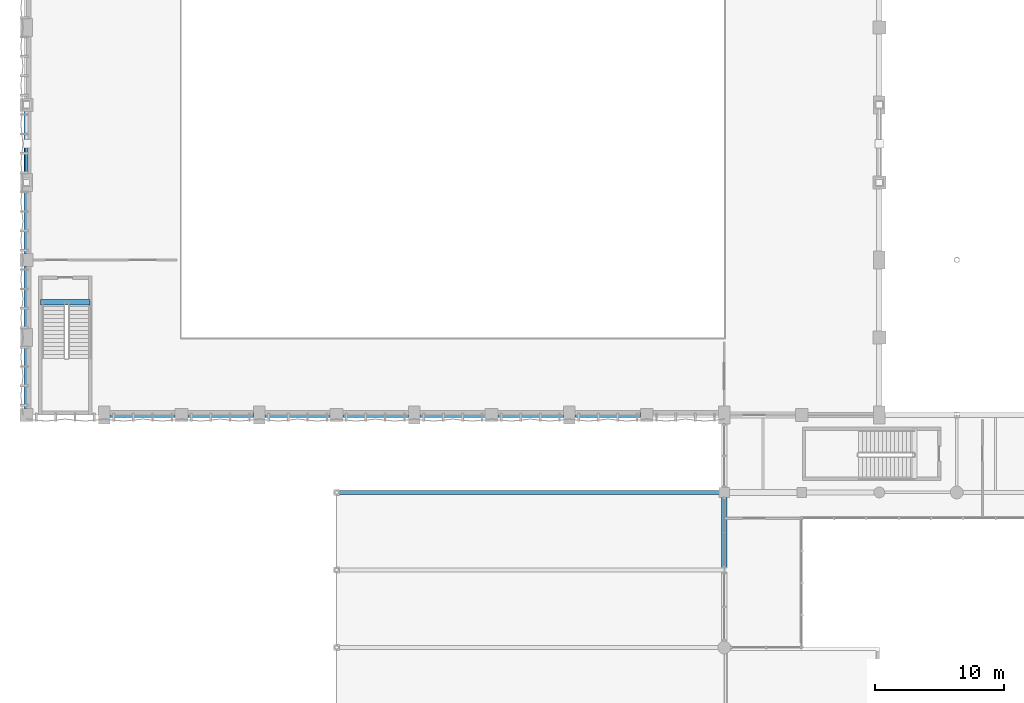
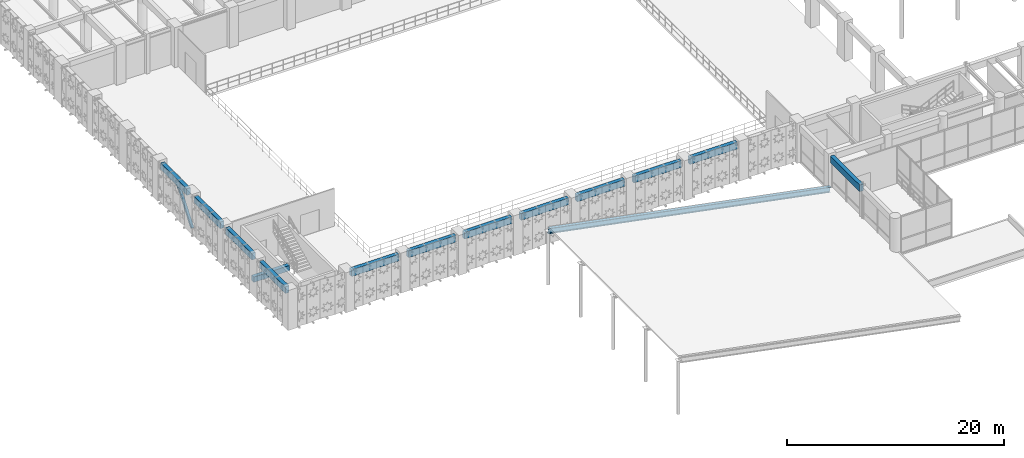
# One storey, part 20 of 133: 14 beams, 1 member.
"""IFC4 building model written with IfcOpenShell, lengths in metres."""

from ifc_helpers import new_model, si_unit, direction, frame, origin, origin_2d, place, context, subcontext, project, spatial, rectangle, hollow_rectangle, i_section, extrude, material, material_profile, profile_set, type_object, element, save


model = new_model("IFC4")

# Units and contexts
model_context = context("Model", 3, precision=1e-05, world=origin(), true_north=direction((0.0, 1.0)))
body_context = subcontext(model_context, "Body", "Model", "MODEL_VIEW")
ifc_project = project(units=[si_unit("LENGTHUNIT", "METRE"), si_unit("AREAUNIT", "SQUARE_METRE"), si_unit("VOLUMEUNIT", "CUBIC_METRE"), si_unit("PLANEANGLEUNIT", "RADIAN"), si_unit("MASSUNIT", "GRAM", prefix="KILO"), si_unit("THERMODYNAMICTEMPERATUREUNIT", "KELVIN"), si_unit("POWERUNIT", "WATT")], contexts=[model_context])

# Site, building, storey
site_placement = place(None, origin())
site = spatial("IfcSite", under=ifc_project, at=site_placement, CompositionType="ELEMENT")
building_placement = place(site_placement, origin())
building = spatial("IfcBuilding", under=site, at=building_placement, Name="Phaisarnlok Congress Hotel", CompositionType="ELEMENT")
storey_placement = place(building_placement, frame((0.0, 0.0, 6.0)))
storey = spatial("IfcBuildingStorey", under=building, at=storey_placement, Name="L01", CompositionType="ELEMENT", Elevation=6.0)

# Beams
ifc_material_1 = material(Name="Concrete C40/50", Category="concrete")
ifc_material_profile_1 = material_profile(ifc_material_1, rectangle(XDim=0.39990234375, YDim=0.60009765625, at=origin_2d()), Name="RC 400x600")
ifc_profile_set_1 = profile_set([ifc_material_profile_1], Name="Concrete C40/50")
beam_type_1 = type_object("IfcBeamType", Name="BM-RC-400x600", PredefinedType="BEAM", material=ifc_profile_set_1)
beam_1_placement = place(storey_placement, frame((1.080078125, 50.719970703125, -0.300048828125), z_axis=(1.0, 0.0, 0.0), x_axis=(0.0, 1.0, 0.0)))
element("IfcBeam", 1, at=beam_1_placement, inside=storey, type_object=beam_type_1, Name="Stair landing header beam B-02 (STAIR-W L01)", PredefinedType="BEAM", context=body_context, shape_type="SweptSolid", body=[
    extrude(rectangle(XDim=0.39990234375, YDim=0.60009765625, at=origin_2d()), origin(), (0.0, 0.0, 1.0), 3.83984375),
])
ifc_material_2 = material(Name="Steel S355", Category="steel")
ifc_material_profile_2 = material_profile(ifc_material_2, i_section(OverallWidth=0.300048828125, OverallDepth=0.60009765625, WebThickness=0.015380859375, FlangeThickness=0.030029296875, FilletRadius=0.027099609375, at=origin_2d()), Name="HEB 600")
ifc_profile_set_2 = profile_set([ifc_material_profile_2], Name="Steel S355")
beam_type_2 = type_object("IfcBeamType", Name="BM-STL-HEB600-EXT", PredefinedType="BEAM", material=ifc_profile_set_2)
beam_2_placement = place(storey_placement, frame((54.0, 36.0, 0.199951171875), z_axis=(-0.981626364061, 0.0, 0.190813210709), x_axis=(0.0, -1.0, 0.0)))
element("IfcBeam", 2, at=beam_2_placement, inside=storey, type_object=beam_type_2, Name="MRT arrival canopy steel rafter SB-09E", PredefinedType="BEAM", context=body_context, shape_type="SweptSolid", body=[
    extrude(i_section(OverallWidth=0.300048828125, OverallDepth=0.60009765625, WebThickness=0.015380859375, FlangeThickness=0.030029296875, FilletRadius=0.027099609375, at=origin_2d()), origin(), (0.0, 0.0, 1.0), 30.5615234375),
])

# Member
ifc_material_profile_3 = material_profile(ifc_material_2, hollow_rectangle(XDim=0.260009765625, YDim=0.260009765625, WallThickness=0.01611328125, at=origin_2d()), Name="SHS 260x260x16")
ifc_profile_set_3 = profile_set([ifc_material_profile_3], Name="Steel S355")
member_type = type_object("IfcMemberType", Name="MEM-BRC-SHS260-EXT", PredefinedType="BRACE", material=ifc_profile_set_3)
member_placement = place(storey_placement, frame((0.0, 60.0, 0.14990234375), z_axis=(0.0, 0.604808680836, 0.796370805332), x_axis=(-1.0, 0.0, 0.0)))
element("IfcMember", 3, at=member_placement, inside=storey, type_object=member_type, Name="Lateral braced frame diagonal", PredefinedType="BRACE", context=body_context, shape_type="SweptSolid", body=[
    extrude(hollow_rectangle(XDim=0.260009765625, YDim=0.260009765625, WallThickness=0.01611328125, at=origin_2d()), origin(), (0.0, 0.0, 1.0), 4.960205078125),
])

# Beams
ifc_material_profile_4 = material_profile(ifc_material_1, rectangle(XDim=0.39990234375, YDim=0.75, at=origin_2d()), Name="RC 400x750")
ifc_profile_set_4 = profile_set([ifc_material_profile_4], Name="Concrete C40/50")
beam_type_3 = type_object("IfcBeamType", Name="SP-RC-400x750", PredefinedType="SPANDREL", material=ifc_profile_set_4)
for number, where, z_axis, x_axis, name in (
    (4, (0.0, 42.4951171875, 3.844970703125), (0.0, 1.0, 0.0), (-1.0, 0.0, 0.0), "Beam SP-02"),
    (5, (0.0, 48.695068359375, 3.844970703125), (0.0, 1.0, 0.0), (-1.0, 0.0, 0.0), "Beam SP-02"),
    (6, (0.0, 54.4951171875, 3.844970703125), (0.0, 1.0, 0.0), (-1.0, 0.0, 0.0), "Beam SP-02"),
    (7, (0.0, 60.695068359375, 3.844970703125), (0.0, 1.0, 0.0), (-1.0, 0.0, 0.0), "Beam SP-02"),
):
    element("IfcBeam", number, at=place(storey_placement, frame(where, z_axis=z_axis, x_axis=x_axis)), inside=storey, type_object=beam_type_3, Name=name, PredefinedType="SPANDREL", context=body_context, shape_type="SweptSolid", body=[
        extrude(rectangle(XDim=0.39990234375, YDim=0.75, at=origin_2d()), origin(), (0.0, 0.0, 1.0), 4.809814453125),
    ])
for number, where, z_axis, x_axis, name in (
    (8, (6.445068359375, 42.0, 3.844970703125), (1.0, 0.0, 0.0), (0.0, 1.0, 0.0), "Beam SP-02"),
    (9, (12.4951171875, 42.0, 3.844970703125), (1.0, 0.0, 0.0), (0.0, 1.0, 0.0), "Beam SP-02"),
    (10, (18.445068359375, 42.0, 3.844970703125), (1.0, 0.0, 0.0), (0.0, 1.0, 0.0), "Beam SP-02"),
    (11, (24.4951171875, 42.0, 3.844970703125), (1.0, 0.0, 0.0), (0.0, 1.0, 0.0), "Beam SP-02"),
    (12, (30.445068359375, 42.0, 3.844970703125), (1.0, 0.0, 0.0), (0.0, 1.0, 0.0), "Beam SP-02"),
    (13, (36.4951171875, 42.0, 3.844970703125), (1.0, 0.0, 0.0), (0.0, 1.0, 0.0), "Beam SP-02"),
    (14, (42.445068359375, 42.0, 3.844970703125), (1.0, 0.0, 0.0), (0.0, 1.0, 0.0), "Beam SP-02"),
):
    element("IfcBeam", number, at=place(storey_placement, frame(where, z_axis=z_axis, x_axis=x_axis)), inside=storey, type_object=beam_type_3, Name=name, PredefinedType="SPANDREL", context=body_context, shape_type="SweptSolid", body=[
        extrude(rectangle(XDim=0.39990234375, YDim=0.75, at=origin_2d()), origin(), (0.0, 0.0, 1.0), 5.059814453125),
    ])
beam_3_placement = place(storey_placement, frame((54.0, 30.194580078125, 3.844970703125), z_axis=(0.0, 1.0, 0.0), x_axis=(-1.0, 0.0, 0.0)))
element("IfcBeam", 15, at=beam_3_placement, inside=storey, type_object=beam_type_3, Name="Beam SP-02", PredefinedType="SPANDREL", context=body_context, shape_type="SweptSolid", body=[
    extrude(rectangle(XDim=0.39990234375, YDim=0.75, at=origin_2d()), origin(), (0.0, 0.0, 1.0), 5.410400390625),
])

save(model, "model.ifc")
